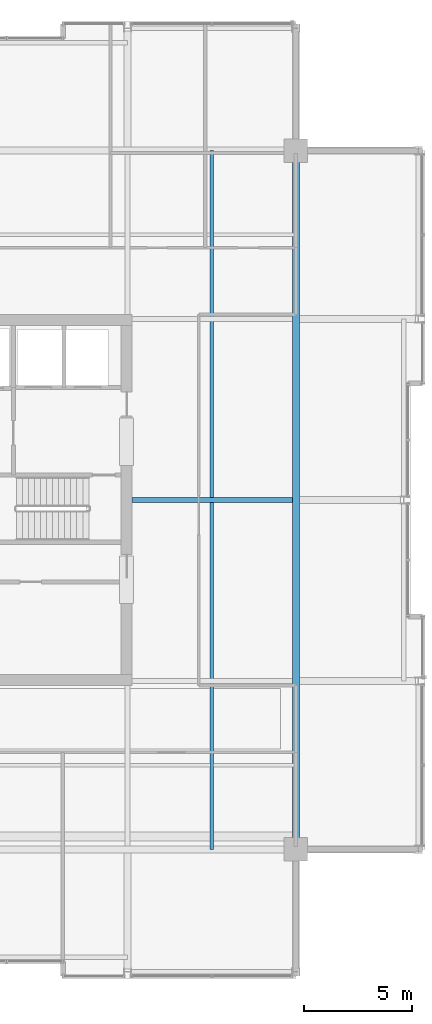
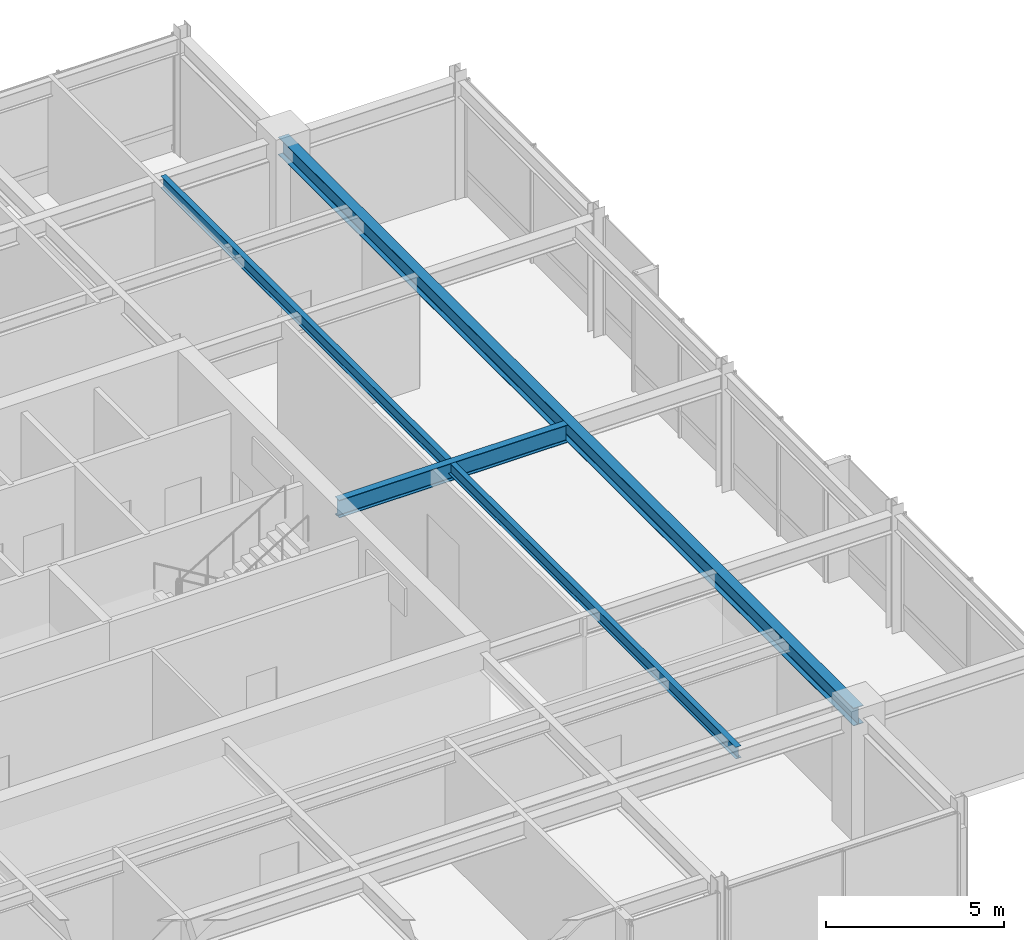
# One storey, part 18 of 33: 3 beams.
"""IFC4 building model written with IfcOpenShell, lengths in metres."""

import ifcopenshell
import ifcopenshell.guid

model = None  # the IFC model being written
_history = None  # IfcOwnerHistory: only IFC2X3 demands one
_inside = {}  # id of a spatial element -> (the spatial element, [elements in it])
_under = {}  # id of a project, library or spatial element -> (it, [spatial elements below it])
_declared = {}  # id of a project -> (the project, [libraries it declares])
_typed = {}  # id of a type object -> (the type object, [elements of that type])
_made_of = {}  # id of a material, layer set ... -> (it, [elements and type objects made of it])


def new_model(schema):
    """Start an empty IFC model of exactly this schema.

    Asked for "IFC4X3", IfcOpenShell would pick the latest addendum, in which some entities
    have other attributes; the version numbers below select the first issue.
    IFC2X3 requires an IfcOwnerHistory on every rooted entity: one is made here for all.
    """
    global model, _history
    if schema == "IFC4X3":
        model = ifcopenshell.file(schema_version=(4, 3, 0, 0))
    else:
        model = ifcopenshell.file(schema=schema)
    _inside.clear()
    _under.clear()
    _declared.clear()
    _typed.clear()
    _made_of.clear()
    _history = None
    if model.schema == "IFC2X3":
        org = make("IfcOrganization", Name="unknown")
        user = make(
            "IfcPersonAndOrganization",
            ThePerson=make("IfcPerson", FamilyName="unknown"),
            TheOrganization=org,
        )
        app = make(
            "IfcApplication",
            ApplicationDeveloper=org,
            Version="unknown",
            ApplicationFullName="unknown",
            ApplicationIdentifier="unknown",
        )
        _history = make(
            "IfcOwnerHistory",
            OwningUser=user,
            OwningApplication=app,
            ChangeAction="ADDED",
            CreationDate=0,
        )
    return model


def make(cls, **values):
    """One entity of the class cls with the attributes given. An attribute that is None is left unset."""
    return model.create_entity(
        cls, **{name: value for name, value in values.items() if value is not None}
    )


def rooted(cls, **values):
    """An entity with a GlobalId (a new one), such as an element, a storey or a relation."""
    return make(cls, GlobalId=ifcopenshell.guid.new(), OwnerHistory=_history, **values)


def si_unit(unit_type, name, prefix=None):
    """IfcSIUnit, for example si_unit("LENGTHUNIT", "METRE", prefix="MILLI")."""
    return make("IfcSIUnit", UnitType=unit_type, Prefix=prefix, Name=name)


def assignment(units):
    """IfcUnitAssignment: the units of a project."""
    return None if units is None else make("IfcUnitAssignment", Units=units)


def point(xyz):
    """IfcCartesianPoint."""
    return None if xyz is None else make("IfcCartesianPoint", Coordinates=xyz)


def direction(xyz):
    """IfcDirection."""
    return None if xyz is None else make("IfcDirection", DirectionRatios=xyz)


def frame(location, z_axis=None, x_axis=None):
    """IfcAxis2Placement3D, a coordinate frame: its origin and axes. An axis left out is left unset."""
    return make(
        "IfcAxis2Placement3D",
        Location=point(location),
        Axis=direction(z_axis),
        RefDirection=direction(x_axis),
    )


def frame_2d(location, x_axis=None):
    """IfcAxis2Placement2D, a coordinate frame in the plane: its origin and x axis."""
    return make(
        "IfcAxis2Placement2D", Location=point(location), RefDirection=direction(x_axis)
    )


def origin():
    """The frame at (0, 0, 0) with its axes left unset."""
    return frame((0.0, 0.0, 0.0))


def origin_2d():
    """The frame at (0, 0) in the plane with its x axis left unset."""
    return frame_2d((0.0, 0.0))


def place(relative_to, where):
    """IfcLocalPlacement: puts the frame where relative to a parent placement (None: the world)."""
    return make(
        "IfcLocalPlacement", PlacementRelTo=relative_to, RelativePlacement=where
    )


def context(
    kind, dimensions, precision=None, world=None, true_north=None, identifier=None
):
    """IfcGeometricRepresentationContext, for example the 3D "Model" context."""
    return make(
        "IfcGeometricRepresentationContext",
        ContextIdentifier=identifier,
        ContextType=kind,
        CoordinateSpaceDimension=dimensions,
        Precision=precision,
        WorldCoordinateSystem=world,
        TrueNorth=true_north,
    )


def subcontext(parent, identifier, kind, view, scale=None):
    """IfcGeometricRepresentationSubContext, for example "Body" below "Model"."""
    return make(
        "IfcGeometricRepresentationSubContext",
        ContextIdentifier=identifier,
        ContextType=kind,
        ParentContext=parent,
        TargetScale=scale,
        TargetView=view,
    )


def project(units=None, contexts=None):
    """IfcProject with its units and contexts."""
    return rooted(
        "IfcProject",
        Name="project",
        RepresentationContexts=contexts,
        UnitsInContext=assignment(units),
    )


def spatial(cls, under=None, at=None, **own):
    """A site, building, storey or space (cls), placed at a placement, below another one or the project."""
    s = rooted(cls, ObjectPlacement=at, **own)
    if under is not None:
        _under.setdefault(under.id(), (under, []))[1].append(s)
    return s


def profile(cls, at=None, kind="AREA", **sizes):
    """A parametric profile (cls). Its sizes go by their IFC names, for example OverallWidth=200.0."""
    return make(cls, ProfileType=kind, Position=at, **sizes)


def i_section(**sizes):
    """IfcIShapeProfileDef."""
    return profile("IfcIShapeProfileDef", **sizes)


def extrude(swept, where, along, depth):
    """IfcExtrudedAreaSolid: the profile swept, set in the frame where, extruded along a direction by depth."""
    return make(
        "IfcExtrudedAreaSolid",
        SweptArea=swept,
        Position=where,
        ExtrudedDirection=direction(along),
        Depth=depth,
    )


def shape(context_of_items, identifier, shape_type, items):
    """IfcShapeRepresentation: the items that make up one representation, for example the "Body"."""
    return make(
        "IfcShapeRepresentation",
        ContextOfItems=context_of_items,
        RepresentationIdentifier=identifier,
        RepresentationType=shape_type,
        Items=items,
    )


def material(Name=None, Category=None):
    """IfcMaterial."""
    return make("IfcMaterial", Name=Name, Category=Category)


def material_profile(
    of_material, cross_section, Name=None, Category=None, Priority=None
):
    """IfcMaterialProfile: a cross section and its material."""
    return make(
        "IfcMaterialProfile",
        Name=Name,
        Material=of_material,
        Profile=cross_section,
        Priority=Priority,
        Category=Category,
    )


def profile_set(profiles, Name=None, composite=None):
    """IfcMaterialProfileSet."""
    return make(
        "IfcMaterialProfileSet",
        Name=Name,
        MaterialProfiles=profiles,
        CompositeProfile=composite,
    )


def made_of(thing, what):
    """Note that an element or type object is made of a material, layer set ...; save() writes the relation."""
    if what is not None:
        _made_of.setdefault(what.id(), (what, []))[1].append(thing)
    return thing


def type_object(cls, material=None, **own):
    """A type object (cls), such as IfcWallType, which elements share."""
    return made_of(rooted(cls, **own), material)


def element(
    cls,
    number,
    at=None,
    inside=None,
    cuts=None,
    type_object=None,
    material=None,
    context=None,
    identifier="Body",
    shape_type=None,
    held_by="IfcProductDefinitionShape",
    body=None,
    shapes=None,
    **own,
):
    """One element of the class cls, such as IfcWall. Its Tag is "e" and its number.

    at: its placement. inside: the storey or other place that contains it. cuts: it is an
    opening in that element (IfcRelVoidsElement). A single representation is given by context,
    identifier, shape_type and body (its items); several are given by shapes. held_by: the class
    of the entity that holds the representations. save() writes the other relations.
    """
    e = rooted(cls, Tag="e%d" % number, ObjectPlacement=at, **own)
    if body is not None:
        shapes = [shape(context, identifier, shape_type, body)]
    if shapes is not None:
        e.Representation = make(held_by, Representations=shapes)
    if inside is not None:
        _inside.setdefault(inside.id(), (inside, []))[1].append(e)
    if cuts is not None:
        rooted(
            "IfcRelVoidsElement", RelatingBuildingElement=cuts, RelatedOpeningElement=e
        )
    if type_object is not None:
        _typed.setdefault(type_object.id(), (type_object, []))[1].append(e)
    return made_of(e, material)


def aggregate(whole, parts):
    """IfcRelAggregates: a whole, such as a stair, and the parts it consists of."""
    return rooted("IfcRelAggregates", RelatingObject=whole, RelatedObjects=parts)


def save(model, path):
    """Write the relations noted so far, then the file.

    IfcRelAggregates (storeys below a building ...), IfcRelContainedInSpatialStructure (elements
    in a storey), IfcRelDefinesByType, IfcRelAssociatesMaterial and IfcRelDeclares: one each for
    every whole, place, type object, material and project.
    """
    for whole, parts in _under.values():
        aggregate(whole, parts)
    for where, things in _inside.values():
        rooted(
            "IfcRelContainedInSpatialStructure",
            RelatedElements=things,
            RelatingStructure=where,
        )
    for kind, things in _typed.values():
        rooted("IfcRelDefinesByType", RelatedObjects=things, RelatingType=kind)
    for what, things in _made_of.values():
        rooted("IfcRelAssociatesMaterial", RelatedObjects=things, RelatingMaterial=what)
    for by, libraries in _declared.values():
        rooted("IfcRelDeclares", RelatingContext=by, RelatedDefinitions=libraries)
    model.write(path)


model = new_model("IFC4")

# Units and contexts
model_context = context("Model", 3, precision=1e-05, world=origin(), true_north=direction((0.0, 1.0)))
body_context = subcontext(model_context, "Body", "Model", "MODEL_VIEW")
ifc_project = project(units=[si_unit("LENGTHUNIT", "METRE"), si_unit("AREAUNIT", "SQUARE_METRE"), si_unit("VOLUMEUNIT", "CUBIC_METRE"), si_unit("PLANEANGLEUNIT", "RADIAN"), si_unit("MASSUNIT", "GRAM", prefix="KILO")], contexts=[model_context])

# Site, building, storey
site_placement = place(None, origin())
site = spatial("IfcSite", under=ifc_project, at=site_placement, CompositionType="ELEMENT")
building_placement = place(site_placement, origin())
building = spatial("IfcBuilding", under=site, at=building_placement, Name="Drelvath Grand Hotel", CompositionType="ELEMENT")
storey_placement = place(building_placement, frame((0.0, 0.0, 298.60009765625)))
storey = spatial("IfcBuildingStorey", under=building, at=storey_placement, Name="L78", CompositionType="ELEMENT", Elevation=298.60009765625)

# Beams
ifc_material = material(Name="Steel ASTM A992 Gr 50", Category="steel")
ifc_material_profile_1 = material_profile(ifc_material, i_section(OverallWidth=0.177734375, OverallDepth=0.40673828125, WebThickness=0.0078125, FlangeThickness=0.0126953125, FilletRadius=0.014892578125, at=origin_2d()), Name="W16X40")
ifc_profile_set_1 = profile_set([ifc_material_profile_1], Name="Steel ASTM A992 Gr 50")
beam_type_1 = type_object("IfcBeamType", Name="Composite Floor Joist W16X40", PredefinedType="JOIST", material=ifc_profile_set_1)
beam_1_placement = place(storey_placement, frame((12.300048828125, 10.800048828125, 3.846435546875), z_axis=(0.0, 1.0, 0.0), x_axis=(-1.0, 0.0, 0.0)))
element("IfcBeam", 1, at=beam_1_placement, inside=storey, type_object=beam_type_1, Name="L78 Wing Floor Joist J4", PredefinedType="JOIST", context=body_context, shape_type="SweptSolid", body=[
    extrude(i_section(OverallWidth=0.177734375, OverallDepth=0.40673828125, WebThickness=0.0078125, FlangeThickness=0.0126953125, FilletRadius=0.014892578125, at=origin_2d()), origin(), (0.0, 0.0, 1.0), 32.39990234375),
])
ifc_material_profile_2 = material_profile(ifc_material, i_section(OverallWidth=0.323974609375, OverallDepth=0.611083984375, WebThickness=0.0126953125, FlangeThickness=0.01904296875, FilletRadius=0.02197265625, at=origin_2d()), Name="W24X104")
ifc_profile_set_2 = profile_set([ifc_material_profile_2], Name="Steel ASTM A992 Gr 50")
beam_type_2 = type_object("IfcBeamType", Name="Primary Floor Girder W24X104", PredefinedType="BEAM", material=ifc_profile_set_2)
beam_2_placement = place(storey_placement, frame((16.199951171875, 10.800048828125, 3.744384765625), z_axis=(0.0, 1.0, 0.0), x_axis=(-1.0, 0.0, 0.0)))
element("IfcBeam", 2, at=beam_2_placement, inside=storey, type_object=beam_type_2, Name="L78 Mega Ring Girder East", PredefinedType="BEAM", context=body_context, shape_type="SweptSolid", body=[
    extrude(i_section(OverallWidth=0.323974609375, OverallDepth=0.611083984375, WebThickness=0.0126953125, FlangeThickness=0.01904296875, FilletRadius=0.02197265625, at=origin_2d()), origin(), (0.0, 0.0, 1.0), 32.39990234375),
])
ifc_material_profile_3 = material_profile(ifc_material, i_section(OverallWidth=0.228271484375, OverallDepth=0.607666015625, WebThickness=0.01123046875, FlangeThickness=0.017333984375, FilletRadius=0.02001953125, at=origin_2d()), Name="W24X76")
ifc_profile_set_3 = profile_set([ifc_material_profile_3], Name="Steel ASTM A992 Gr 50")
beam_type_3 = type_object("IfcBeamType", Name="Primary Floor Girder W24X76", PredefinedType="BEAM", material=ifc_profile_set_3)
beam_3_placement = place(storey_placement, frame((8.60009765625, 27.0, 3.74609375), z_axis=(1.0, 0.0, 0.0), x_axis=(0.0, 1.0, 0.0)))
element("IfcBeam", 3, at=beam_3_placement, inside=storey, type_object=beam_type_3, Name="L78 East Core Tie E", PredefinedType="BEAM", context=body_context, shape_type="SweptSolid", body=[
    extrude(i_section(OverallWidth=0.228271484375, OverallDepth=0.607666015625, WebThickness=0.01123046875, FlangeThickness=0.017333984375, FilletRadius=0.02001953125, at=origin_2d()), origin(), (0.0, 0.0, 1.0), 7.43798828125),
])

save(model, "model.ifc")
